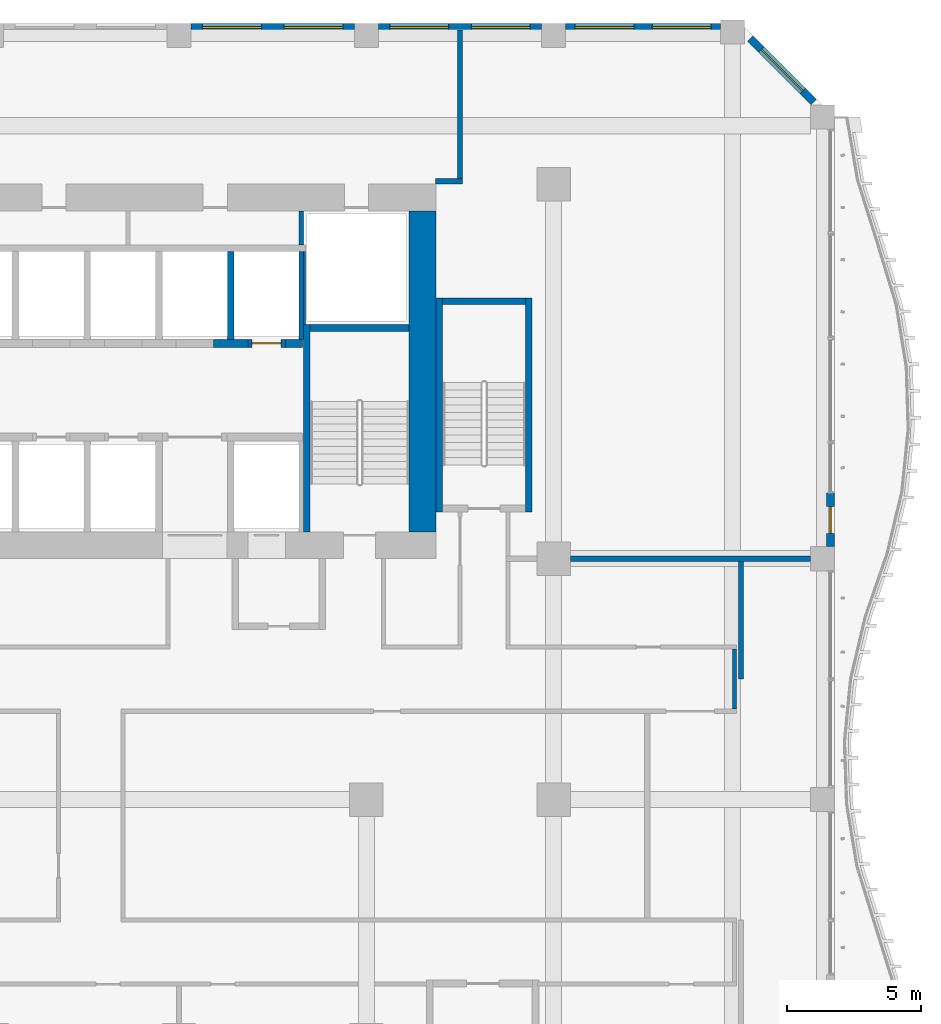
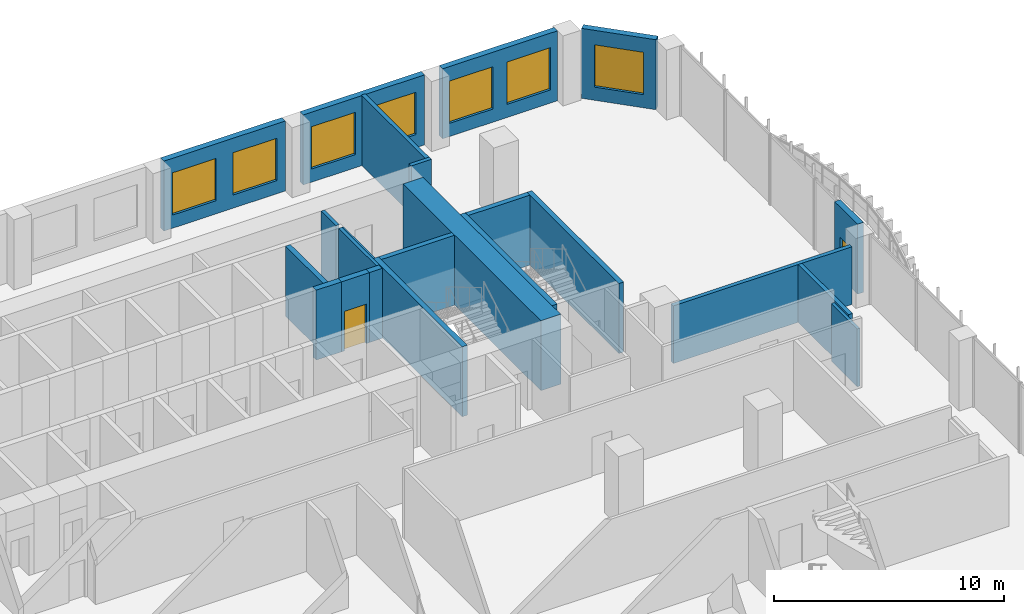
# One storey, part 15 of 25: 23 walls, 7 windows, 2 doors, 9 openings.
"""IFC4 building model written with IfcOpenShell, lengths in metres."""

from ifc_helpers import new_model, si_unit, direction, frame, frame_2d, origin, place, context, subcontext, project, spatial, rectangle, extrude, source, transform, mapped, material, layer, layer_set, type_object, element, fill, save


model = new_model("IFC4")

# Units and contexts
model_context = context("Model", 3, precision=1e-05, world=origin(), true_north=direction((0.0, 1.0)))
body_context = subcontext(model_context, "Body", "Model", "MODEL_VIEW")
ifc_project = project(units=[si_unit("LENGTHUNIT", "METRE"), si_unit("AREAUNIT", "SQUARE_METRE"), si_unit("VOLUMEUNIT", "CUBIC_METRE"), si_unit("PLANEANGLEUNIT", "RADIAN"), si_unit("MASSUNIT", "GRAM", prefix="KILO")], contexts=[model_context])

# Site, building, storey
site_placement = place(None, origin())
site = spatial("IfcSite", under=ifc_project, at=site_placement, CompositionType="ELEMENT")
building_placement = place(site_placement, origin())
building = spatial("IfcBuilding", under=site, at=building_placement, Name="Kilnfold Tower and Market Hall", CompositionType="ELEMENT")
storey_placement = place(building_placement, frame((0.0, 0.0, 67.199951171875)))
storey = spatial("IfcBuildingStorey", under=building, at=storey_placement, Name="L15", CompositionType="ELEMENT", Elevation=67.199951171875)

# Walls
ifc_material_1 = material(Name="Gypsum board on steel studs", Category="steel")
ifc_layer_1 = layer(ifc_material_1, 0.14990234375)
ifc_layer_set_1 = layer_set([ifc_layer_1], Name="Gypsum board on steel studs")
wall_type_1 = type_object("IfcWallType", Name="WALL CORRIDOR 150", PredefinedType="PARTITIONING", material=ifc_layer_set_1)
wall_1_placement = place(storey_placement, frame((29.25, 2.375, 0.0), z_axis=(0.0, 0.0, 1.0), x_axis=(0.0, 1.0, 0.0)))
element("IfcWall", 1, at=wall_1_placement, inside=storey, type_object=wall_type_1, Name="Partition LY12.29", PredefinedType="PARTITIONING", context=body_context, shape_type="SweptSolid", body=[
    extrude(rectangle(XDim=2.25, YDim=0.14990234375, at=frame_2d((1.125, 0.0))), origin(), (0.0, 0.0, 1.0), 3.070068359375),
])
ifc_material_2 = material(Name="Gypsum board on steel studs", Category="steel")
ifc_layer_2 = layer(ifc_material_2, 0.199951171875)
ifc_layer_set_2 = layer_set([ifc_layer_2], Name="Gypsum board on steel studs")
wall_type_2 = type_object("IfcWallType", Name="WALL PARTY 200", PredefinedType="PARTITIONING", material=ifc_layer_set_2)
wall_2_placement = place(storey_placement, frame((19.0, 22.199951171875, 0.0), z_axis=(0.0, 0.0, 1.0), x_axis=(0.0, 1.0, 0.0)))
element("IfcWall", 2, at=wall_2_placement, inside=storey, type_object=wall_type_2, Name="Partition LY12.42", PredefinedType="PARTITIONING", context=body_context, shape_type="SweptSolid", body=[
    extrude(rectangle(XDim=5.550048828125, YDim=0.199951171875, at=frame_2d((2.77490234375, 0.0))), origin(), (0.0, 0.0, 1.0), 3.719970703125),
])
wall_3_placement = place(storey_placement, frame((18.090087890625, 22.10009765625, 0.0), z_axis=(0.0, 0.0, 1.0), x_axis=(1.0, 0.0, 0.0)))
element("IfcWall", 3, at=wall_3_placement, inside=storey, type_object=wall_type_2, Name="Partition LY12.43", PredefinedType="PARTITIONING", context=body_context, shape_type="SweptSolid", body=[
    extrude(rectangle(XDim=1.010009765625, YDim=0.199951171875, at=frame_2d((0.5048828125, 0.0))), origin(), (0.0, 0.0, 1.0), 3.719970703125),
])
wall_4_placement = place(storey_placement, frame((23.125, 8.0, 0.0), z_axis=(0.0, 0.0, 1.0), x_axis=(1.0, 0.0, 0.0)))
element("IfcWall", 4, at=wall_4_placement, inside=storey, type_object=wall_type_2, Name="Partition LY12.55", PredefinedType="PARTITIONING", context=body_context, shape_type="SweptSolid", body=[
    extrude(rectangle(XDim=8.97509765625, YDim=0.199951171875, at=frame_2d((4.487548828125, 0.0))), origin(), (0.0, 0.0, 1.0), 3.070068359375),
])
wall_5_placement = place(storey_placement, frame((29.5, 3.5, 0.0), z_axis=(0.0, 0.0, 1.0), x_axis=(0.0, 1.0, 0.0)))
element("IfcWall", 5, at=wall_5_placement, inside=storey, type_object=wall_type_2, Name="Partition LY12.57", PredefinedType="PARTITIONING", context=body_context, shape_type="SweptSolid", body=[
    extrude(rectangle(XDim=4.39990234375, YDim=0.199951171875, at=frame_2d((2.199951171875, 0.0))), origin(), (0.0, 0.0, 1.0), 3.070068359375),
])
ifc_material_3 = material(Name="Concrete C80", Category="concrete")
ifc_layer_3 = layer(ifc_material_3, 1.0)
ifc_layer_set_3 = layer_set([ifc_layer_3], Name="Concrete C80")
wall_type_3 = type_object("IfcWallType", Name="CORE WALL 1000 C80", PredefinedType="SHEAR", material=ifc_layer_set_3)
shared_shape_1 = source(origin(), body_context, "Body", "SweptSolid", [
    extrude(rectangle(XDim=12.0, YDim=1.0, at=frame_2d((6.0, 0.0))), origin(), (0.0, 0.0, 1.0), 3.719970703125),
])
wall_6_placement = place(storey_placement, frame((17.60009765625, 9.0, 0.0), z_axis=(0.0, 0.0, 1.0), x_axis=(0.0, 1.0, 0.0)))
element("IfcWall", 6, at=wall_6_placement, inside=storey, type_object=wall_type_3, Name="Core outer wall east", PredefinedType="SHEAR", context=body_context, shape_type="MappedRepresentation", body=[
    mapped(shared_shape_1, transform((0.0, 0.0, 0.0))),
])
ifc_material_4 = material(Name="Concrete C80", Category="concrete")
ifc_layer_4 = layer(ifc_material_4, 0.25)
ifc_layer_set_4 = layer_set([ifc_layer_4], Name="Concrete C80")
wall_type_4 = type_object("IfcWallType", Name="CORE WALL 250 C80", PredefinedType="SHEAR", material=ifc_layer_set_4)
shared_shape_2 = source(origin(), body_context, "Body", "SweptSolid", [
    extrude(rectangle(XDim=7.75, YDim=0.25, at=frame_2d((3.875, 0.0))), origin(), (0.0, 0.0, 1.0), 3.719970703125),
])
wall_7_placement = place(storey_placement, frame((13.27490234375, 9.0, 0.0), z_axis=(0.0, 0.0, 1.0), x_axis=(0.0, 1.0, 0.0)))
element("IfcWall", 7, at=wall_7_placement, inside=storey, type_object=wall_type_4, Name="Stair enclosure ST2", PredefinedType="SHEAR", context=body_context, shape_type="MappedRepresentation", body=[
    mapped(shared_shape_2, transform((0.0, 0.0, 0.0))),
])
shared_shape_3 = source(origin(), body_context, "Body", "SweptSolid", [
    extrude(rectangle(XDim=3.7001953125, YDim=0.25, at=frame_2d((1.85009765625, 0.0))), origin(), (0.0, 0.0, 1.0), 3.719970703125),
])
wall_8_placement = place(storey_placement, frame((13.39990234375, 16.625, 0.0), z_axis=(0.0, 0.0, 1.0), x_axis=(1.0, 0.0, 0.0)))
element("IfcWall", 8, at=wall_8_placement, inside=storey, type_object=wall_type_4, Name="Stair enclosure ST2", PredefinedType="SHEAR", context=body_context, shape_type="MappedRepresentation", body=[
    mapped(shared_shape_3, transform((0.0, 0.0, 0.0))),
])
shared_shape_4 = source(origin(), body_context, "Body", "SweptSolid", [
    extrude(rectangle(XDim=8.0, YDim=0.25, at=frame_2d((4.0, 0.0))), origin(), (0.0, 0.0, 1.0), 3.719970703125),
])
for number, where, z_axis, x_axis, name in (
    (9, (18.22509765625, 9.75, 0.0), (0.0, 0.0, 1.0), (0.0, 1.0, 0.0), "Stair enclosure ST5"),
    (10, (21.574951171875, 9.75, 0.0), (0.0, 0.0, 1.0), (0.0, 1.0, 0.0), "Stair enclosure ST5"),
):
    element("IfcWall", number, at=place(storey_placement, frame(where, z_axis=z_axis, x_axis=x_axis)), inside=storey, type_object=wall_type_4, Name=name, PredefinedType="SHEAR", context=body_context, shape_type="MappedRepresentation", body=[
        mapped(shared_shape_4, transform((0.0, 0.0, 0.0))),
    ])
shared_shape_5 = source(origin(), body_context, "Body", "SweptSolid", [
    extrude(rectangle(XDim=3.099853515625, YDim=0.25, at=frame_2d((1.5498046875, 0.0))), origin(), (0.0, 0.0, 1.0), 3.719970703125),
])
wall_9_placement = place(storey_placement, frame((18.35009765625, 17.625, 0.0), z_axis=(0.0, 0.0, 1.0), x_axis=(1.0, 0.0, 0.0)))
element("IfcWall", 11, at=wall_9_placement, inside=storey, type_object=wall_type_4, Name="Stair enclosure ST5", PredefinedType="SHEAR", context=body_context, shape_type="MappedRepresentation", body=[
    mapped(shared_shape_5, transform((0.0, 0.0, 0.0))),
])
ifc_material_5 = material(Name="Concrete C80", Category="concrete")
ifc_layer_5 = layer(ifc_material_5, 0.300048828125)
ifc_layer_set_5 = layer_set([ifc_layer_5], Name="Concrete C80")
wall_type_5 = type_object("IfcWallType", Name="CORE WALL 300 C80", PredefinedType="SHEAR", material=ifc_layer_set_5)
shared_shape_6 = source(origin(), body_context, "Body", "SweptSolid", [
    extrude(rectangle(XDim=1.280029296875, YDim=0.300048828125, at=frame_2d((0.64013671875, 0.0))), origin(), (0.0, 0.0, 1.0), 3.719970703125),
])
wall_10_placement = place(storey_placement, frame((9.7900390625, 16.050048828125, 0.0), z_axis=(0.0, 0.0, 1.0), x_axis=(1.0, 0.0, 0.0)))
element("IfcWall", 12, at=wall_10_placement, inside=storey, type_object=wall_type_5, Name="Core spine wall", PredefinedType="SHEAR", context=body_context, shape_type="MappedRepresentation", body=[
    mapped(shared_shape_6, transform((0.0, 0.0, 0.0))),
])
shared_shape_7 = source(origin(), body_context, "Body", "SweptSolid", [
    extrude(rectangle(XDim=0.64013671875, YDim=0.300048828125, at=frame_2d((0.320068359375, 0.0))), origin(), (0.0, 0.0, 1.0), 3.719970703125),
])
wall_11_placement = place(storey_placement, frame((12.469970703125, 16.050048828125, 0.0), z_axis=(0.0, 0.0, 1.0), x_axis=(1.0, 0.0, 0.0)))
element("IfcWall", 13, at=wall_11_placement, inside=storey, type_object=wall_type_5, Name="Core spine wall", PredefinedType="SHEAR", context=body_context, shape_type="MappedRepresentation", body=[
    mapped(shared_shape_7, transform((0.0, 0.0, 0.0))),
])

# Wall, opening, door
ifc_material_6 = material(Name="Precast concrete C50/60", Category="concrete")
ifc_layer_6 = layer(ifc_material_6, 0.300048828125)
ifc_layer_set_6 = layer_set([ifc_layer_6], Name="Precast concrete C50/60")
wall_type_6 = type_object("IfcWallType", Name="PRECAST WALL 300", PredefinedType="SOLIDWALL", material=ifc_layer_set_6)
shared_shape_8 = source(origin(), body_context, "Body", "SweptSolid", [
    extrude(rectangle(XDim=2.0, YDim=0.300048828125, at=frame_2d((1.0, 0.0))), origin(), (0.0, 0.0, 1.0), 3.719970703125),
])
wall_12_placement = place(storey_placement, frame((32.85009765625, 8.449951171875, 0.0), z_axis=(0.0, 0.0, 1.0), x_axis=(0.0, 1.0, 0.0)))
wall_12 = element("IfcWall", 14, at=wall_12_placement, inside=storey, type_object=wall_type_6, Name="External wall L15 E", PredefinedType="SOLIDWALL", context=body_context, shape_type="MappedRepresentation", body=[
    mapped(shared_shape_8, transform((0.0, 0.0, 0.0))),
])
opening_1_placement = place(wall_12_placement, frame((0.5, 0.0, 0.0)))
opening_1 = element("IfcOpeningElement", 15, at=opening_1_placement, cuts=wall_12, Name="Opening BD1", PredefinedType="OPENING", context=body_context, shape_type="SweptSolid", body=[
    extrude(rectangle(XDim=1.0, YDim=2.10009765625, at=frame_2d((0.5, 1.050048828125))), frame((0.0, 0.16015625, 0.0), z_axis=(0.0, -1.0, 0.0), x_axis=(1.0, 0.0, 0.0)), (0.0, 0.0, 1.0), 0.320068359375),
])
ifc_material_7 = material(Name="Aluminium frame and double glazing", Category="aluminium")
door_type_1 = type_object("IfcDoorType", Name="BALCONY DOOR 1000X2100", OperationType="NOTDEFINED", PredefinedType="DOOR", material=ifc_material_7)
door_1_placement = place(opening_1_placement, origin())
door_1 = element("IfcDoor", 16, at=door_1_placement, inside=storey, type_object=door_type_1, Name="Balcony door BD1 L15 E-1", OperationType="SINGLE_SWING_LEFT", OverallHeight=2.10009765625, OverallWidth=1.0, PredefinedType="DOOR", context=body_context, shape_type="SweptSolid", body=[
    extrude(rectangle(XDim=1.0, YDim=2.10009765625, at=frame_2d((0.5, 1.050048828125))), frame((0.0, 0.02490234375, 0.0), z_axis=(0.0, -1.0, 0.0), x_axis=(1.0, 0.0, 0.0)), (0.0, 0.0, 1.0), 0.050048828125),
])
fill(opening_1, door_1)

# Wall, opening, window
shared_shape_9 = source(origin(), body_context, "Body", "SweptSolid", [
    extrude(rectangle(XDim=3.35888671875, YDim=0.300048828125, at=frame_2d((1.679443359375, 0.0))), origin(), (0.0, 0.0, 1.0), 3.719970703125),
])
wall_13_placement = place(storey_placement, frame((32.218994140625, 25.06884765625, 0.0), z_axis=(0.0, 0.0, 1.0), x_axis=(-0.707070438228, 0.707143122278, 0.0)))
wall_13 = element("IfcWall", 17, at=wall_13_placement, inside=storey, type_object=wall_type_6, Name="External wall L15 NE", PredefinedType="SOLIDWALL", context=body_context, shape_type="MappedRepresentation", body=[
    mapped(shared_shape_9, transform((0.0, 0.0, 0.0))),
])
opening_2_placement = place(wall_13_placement, frame((0.579345703125, 0.0, 0.699951171875)))
opening_2 = element("IfcOpeningElement", 18, at=opening_2_placement, cuts=wall_13, Name="Opening W1", PredefinedType="OPENING", context=body_context, shape_type="SweptSolid", body=[
    extrude(rectangle(XDim=2.199951171875, YDim=2.25, at=frame_2d((1.10009765625, 1.125))), frame((0.0, 0.16015625, 0.0), z_axis=(0.0, -1.0, 0.0), x_axis=(1.0, 0.0, 0.0)), (0.0, 0.0, 1.0), 0.320068359375),
])
ifc_material_8 = material(Name="Aluminium frame and double glazing", Category="aluminium")
window_type = type_object("IfcWindowType", Name="WINDOW W1 2200X2250", PartitioningType="SINGLE_PANEL", PredefinedType="WINDOW", material=ifc_material_8)
window_1_placement = place(opening_2_placement, origin())
window_1 = element("IfcWindow", 19, at=window_1_placement, inside=storey, type_object=window_type, Name="Window W1 L15 NE-1", OverallHeight=2.25, OverallWidth=2.199951171875, PartitioningType="SINGLE_PANEL", PredefinedType="WINDOW", context=body_context, shape_type="SweptSolid", body=[
    extrude(rectangle(XDim=2.199951171875, YDim=2.25, at=frame_2d((1.10009765625, 1.125))), frame((0.0, 0.030029296875, 0.0), z_axis=(0.0, -1.0, 0.0), x_axis=(1.0, 0.0, 0.0)), (0.0, 0.0, 1.0), 0.06005859375),
])
fill(opening_2, window_1)

# Wall, openings, windows
shared_shape_10 = source(origin(), body_context, "Body", "SweptSolid", [
    extrude(rectangle(XDim=5.78173828125, YDim=0.300048828125, at=frame_2d((2.890869140625, 0.0))), origin(), (0.0, 0.0, 1.0), 3.719970703125),
])
wall_14_placement = place(storey_placement, frame((28.731689453125, 27.85009765625, 0.0), z_axis=(0.0, 0.0, 1.0), x_axis=(-1.0, 0.0, 0.0)))
wall_14 = element("IfcWall", 20, at=wall_14_placement, inside=storey, type_object=wall_type_6, Name="External wall L15 N", PredefinedType="SOLIDWALL", context=body_context, shape_type="MappedRepresentation", body=[
    mapped(shared_shape_10, transform((0.0, 0.0, 0.0))),
])
opening_3_placement = place(wall_14_placement, frame((0.345458984375, 0.0, 0.699951171875)))
opening_3 = element("IfcOpeningElement", 21, at=opening_3_placement, cuts=wall_14, Name="Opening W1", PredefinedType="OPENING", context=body_context, shape_type="SweptSolid", body=[
    extrude(rectangle(XDim=2.199951171875, YDim=2.25, at=frame_2d((1.10009765625, 1.125))), frame((0.0, 0.16015625, 0.0), z_axis=(0.0, -1.0, 0.0), x_axis=(1.0, 0.0, 0.0)), (0.0, 0.0, 1.0), 0.320068359375),
])
opening_4_placement = place(wall_14_placement, frame((3.236328125, 0.0, 0.699951171875)))
opening_4 = element("IfcOpeningElement", 22, at=opening_4_placement, cuts=wall_14, Name="Opening W1", PredefinedType="OPENING", context=body_context, shape_type="SweptSolid", body=[
    extrude(rectangle(XDim=2.199951171875, YDim=2.25, at=frame_2d((1.10009765625, 1.125))), frame((0.0, 0.16015625, 0.0), z_axis=(0.0, -1.0, 0.0), x_axis=(1.0, 0.0, 0.0)), (0.0, 0.0, 1.0), 0.320068359375),
])
window_2_placement = place(opening_3_placement, origin())
window_2 = element("IfcWindow", 23, at=window_2_placement, inside=storey, type_object=window_type, Name="Window W1 L15 N-1", OverallHeight=2.25, OverallWidth=2.199951171875, PartitioningType="SINGLE_PANEL", PredefinedType="WINDOW", context=body_context, shape_type="SweptSolid", body=[
    extrude(rectangle(XDim=2.199951171875, YDim=2.25, at=frame_2d((1.10009765625, 1.125))), frame((0.0, 0.030029296875, 0.0), z_axis=(0.0, -1.0, 0.0), x_axis=(1.0, 0.0, 0.0)), (0.0, 0.0, 1.0), 0.06005859375),
])
fill(opening_3, window_2)
window_3_placement = place(opening_4_placement, origin())
window_3 = element("IfcWindow", 24, at=window_3_placement, inside=storey, type_object=window_type, Name="Window W1 L15 N-2", OverallHeight=2.25, OverallWidth=2.199951171875, PartitioningType="SINGLE_PANEL", PredefinedType="WINDOW", context=body_context, shape_type="SweptSolid", body=[
    extrude(rectangle(XDim=2.199951171875, YDim=2.25, at=frame_2d((1.10009765625, 1.125))), frame((0.0, 0.030029296875, 0.0), z_axis=(0.0, -1.0, 0.0), x_axis=(1.0, 0.0, 0.0)), (0.0, 0.0, 1.0), 0.06005859375),
])
fill(opening_4, window_3)

shared_shape_11 = source(origin(), body_context, "Body", "SweptSolid", [
    extrude(rectangle(XDim=6.10009765625, YDim=0.300048828125, at=frame_2d((3.050048828125, 0.0))), origin(), (0.0, 0.0, 1.0), 3.719970703125),
])
wall_15_placement = place(storey_placement, frame((22.050048828125, 27.85009765625, 0.0), z_axis=(0.0, 0.0, 1.0), x_axis=(-1.0, 0.0, 0.0)))
wall_15 = element("IfcWall", 25, at=wall_15_placement, inside=storey, type_object=wall_type_6, Name="External wall L15 N", PredefinedType="SOLIDWALL", context=body_context, shape_type="MappedRepresentation", body=[
    mapped(shared_shape_11, transform((0.0, 0.0, 0.0))),
])
opening_5_placement = place(wall_15_placement, frame((0.425048828125, 0.0, 0.699951171875)))
opening_5 = element("IfcOpeningElement", 26, at=opening_5_placement, cuts=wall_15, Name="Opening W1", PredefinedType="OPENING", context=body_context, shape_type="SweptSolid", body=[
    extrude(rectangle(XDim=2.199951171875, YDim=2.25, at=frame_2d((1.10009765625, 1.125))), frame((0.0, 0.16015625, 0.0), z_axis=(0.0, -1.0, 0.0), x_axis=(1.0, 0.0, 0.0)), (0.0, 0.0, 1.0), 0.320068359375),
])
opening_6_placement = place(wall_15_placement, frame((3.47509765625, 0.0, 0.699951171875)))
opening_6 = element("IfcOpeningElement", 27, at=opening_6_placement, cuts=wall_15, Name="Opening W1", PredefinedType="OPENING", context=body_context, shape_type="SweptSolid", body=[
    extrude(rectangle(XDim=2.199951171875, YDim=2.25, at=frame_2d((1.10009765625, 1.125))), frame((0.0, 0.16015625, 0.0), z_axis=(0.0, -1.0, 0.0), x_axis=(1.0, 0.0, 0.0)), (0.0, 0.0, 1.0), 0.320068359375),
])
window_4_placement = place(opening_5_placement, origin())
window_4 = element("IfcWindow", 28, at=window_4_placement, inside=storey, type_object=window_type, Name="Window W1 L15 N-1", OverallHeight=2.25, OverallWidth=2.199951171875, PartitioningType="SINGLE_PANEL", PredefinedType="WINDOW", context=body_context, shape_type="SweptSolid", body=[
    extrude(rectangle(XDim=2.199951171875, YDim=2.25, at=frame_2d((1.10009765625, 1.125))), frame((0.0, 0.030029296875, 0.0), z_axis=(0.0, -1.0, 0.0), x_axis=(1.0, 0.0, 0.0)), (0.0, 0.0, 1.0), 0.06005859375),
])
fill(opening_5, window_4)
window_5_placement = place(opening_6_placement, origin())
window_5 = element("IfcWindow", 29, at=window_5_placement, inside=storey, type_object=window_type, Name="Window W1 L15 N-2", OverallHeight=2.25, OverallWidth=2.199951171875, PartitioningType="SINGLE_PANEL", PredefinedType="WINDOW", context=body_context, shape_type="SweptSolid", body=[
    extrude(rectangle(XDim=2.199951171875, YDim=2.25, at=frame_2d((1.10009765625, 1.125))), frame((0.0, 0.030029296875, 0.0), z_axis=(0.0, -1.0, 0.0), x_axis=(1.0, 0.0, 0.0)), (0.0, 0.0, 1.0), 0.06005859375),
])
fill(opening_6, window_5)

wall_16_placement = place(storey_placement, frame((15.050048828125, 27.85009765625, 0.0), z_axis=(0.0, 0.0, 1.0), x_axis=(-1.0, 0.0, 0.0)))
wall_16 = element("IfcWall", 30, at=wall_16_placement, inside=storey, type_object=wall_type_6, Name="External wall L15 N", PredefinedType="SOLIDWALL", context=body_context, shape_type="MappedRepresentation", body=[
    mapped(shared_shape_11, transform((0.0, 0.0, 0.0))),
])
opening_7_placement = place(wall_16_placement, frame((0.425048828125, 0.0, 0.699951171875)))
opening_7 = element("IfcOpeningElement", 31, at=opening_7_placement, cuts=wall_16, Name="Opening W1", PredefinedType="OPENING", context=body_context, shape_type="SweptSolid", body=[
    extrude(rectangle(XDim=2.199951171875, YDim=2.25, at=frame_2d((1.10009765625, 1.125))), frame((0.0, 0.16015625, 0.0), z_axis=(0.0, -1.0, 0.0), x_axis=(1.0, 0.0, 0.0)), (0.0, 0.0, 1.0), 0.320068359375),
])
opening_8_placement = place(wall_16_placement, frame((3.47509765625, 0.0, 0.699951171875)))
opening_8 = element("IfcOpeningElement", 32, at=opening_8_placement, cuts=wall_16, Name="Opening W1", PredefinedType="OPENING", context=body_context, shape_type="SweptSolid", body=[
    extrude(rectangle(XDim=2.199951171875, YDim=2.25, at=frame_2d((1.10009765625, 1.125))), frame((0.0, 0.16015625, 0.0), z_axis=(0.0, -1.0, 0.0), x_axis=(1.0, 0.0, 0.0)), (0.0, 0.0, 1.0), 0.320068359375),
])
window_6_placement = place(opening_7_placement, origin())
window_6 = element("IfcWindow", 33, at=window_6_placement, inside=storey, type_object=window_type, Name="Window W1 L15 N-1", OverallHeight=2.25, OverallWidth=2.199951171875, PartitioningType="SINGLE_PANEL", PredefinedType="WINDOW", context=body_context, shape_type="SweptSolid", body=[
    extrude(rectangle(XDim=2.199951171875, YDim=2.25, at=frame_2d((1.10009765625, 1.125))), frame((0.0, 0.030029296875, 0.0), z_axis=(0.0, -1.0, 0.0), x_axis=(1.0, 0.0, 0.0)), (0.0, 0.0, 1.0), 0.06005859375),
])
fill(opening_7, window_6)
window_7_placement = place(opening_8_placement, origin())
window_7 = element("IfcWindow", 34, at=window_7_placement, inside=storey, type_object=window_type, Name="Window W1 L15 N-2", OverallHeight=2.25, OverallWidth=2.199951171875, PartitioningType="SINGLE_PANEL", PredefinedType="WINDOW", context=body_context, shape_type="SweptSolid", body=[
    extrude(rectangle(XDim=2.199951171875, YDim=2.25, at=frame_2d((1.10009765625, 1.125))), frame((0.0, 0.030029296875, 0.0), z_axis=(0.0, -1.0, 0.0), x_axis=(1.0, 0.0, 0.0)), (0.0, 0.0, 1.0), 0.06005859375),
])
fill(opening_8, window_7)

# Wall, opening, door
ifc_material_9 = material(Name="Gypsum shaft wall system")
ifc_layer_7 = layer(ifc_material_9, 0.300048828125)
ifc_layer_set_7 = layer_set([ifc_layer_7], Name="Gypsum shaft wall system")
wall_type_7 = type_object("IfcWallType", Name="SHAFT WALL 300", PredefinedType="PARTITIONING", material=ifc_layer_set_7)
shared_shape_12 = source(origin(), body_context, "Body", "SweptSolid", [
    extrude(rectangle(XDim=1.39990234375, YDim=0.300048828125, at=frame_2d((0.699951171875, 0.0))), origin(), (0.0, 0.0, 1.0), 3.719970703125),
])
wall_17_placement = place(storey_placement, frame((11.070068359375, 16.050048828125, 0.0), z_axis=(0.0, 0.0, 1.0), x_axis=(1.0, 0.0, 0.0)))
wall_17 = element("IfcWall", 35, at=wall_17_placement, inside=storey, type_object=wall_type_7, Name="Lift shaft front wall", PredefinedType="PARTITIONING", context=body_context, shape_type="MappedRepresentation", body=[
    mapped(shared_shape_12, transform((0.0, 0.0, 0.0))),
])
opening_9_placement = place(wall_17_placement, frame((0.14990234375, 0.0, 0.0)))
opening_9 = element("IfcOpeningElement", 36, at=opening_9_placement, cuts=wall_17, Name="Opening LD2", PredefinedType="OPENING", context=body_context, shape_type="SweptSolid", body=[
    extrude(rectangle(XDim=1.10009765625, YDim=2.10009765625, at=frame_2d((0.550048828125, 1.050048828125))), frame((0.0, 0.16015625, 0.0), z_axis=(0.0, -1.0, 0.0), x_axis=(1.0, 0.0, 0.0)), (0.0, 0.0, 1.0), 0.320068359375),
])
ifc_material_10 = material(Name="Steel door set with fire-resisting leaf", Category="steel")
door_type_2 = type_object("IfcDoorType", Name="LANDING DOOR 1100X2100", OperationType="NOTDEFINED", PredefinedType="DOOR", material=ifc_material_10)
door_2_placement = place(opening_9_placement, origin())
door_2 = element("IfcDoor", 37, at=door_2_placement, inside=storey, type_object=door_type_2, Name="Landing door LR6", OperationType="DOUBLE_DOOR_SLIDING", OverallHeight=2.10009765625, OverallWidth=1.10009765625, PredefinedType="DOOR", context=body_context, shape_type="SweptSolid", body=[
    extrude(rectangle(XDim=1.10009765625, YDim=2.10009765625, at=frame_2d((0.550048828125, 1.050048828125))), frame((0.0, 0.02490234375, 0.0), z_axis=(0.0, -1.0, 0.0), x_axis=(1.0, 0.0, 0.0)), (0.0, 0.0, 1.0), 0.050048828125),
])
fill(opening_9, door_2)

# Walls
ifc_material_11 = material(Name="Gypsum shaft wall system")
ifc_layer_8 = layer(ifc_material_11, 0.1650390625)
ifc_layer_set_8 = layer_set([ifc_layer_8], Name="Gypsum shaft wall system")
wall_type_8 = type_object("IfcWallType", Name="SHAFT WALL 165", PredefinedType="PARTITIONING", material=ifc_layer_set_8)
shared_shape_13 = source(origin(), body_context, "Body", "SweptSolid", [
    extrude(rectangle(XDim=3.275146484375, YDim=0.1650390625, at=frame_2d((1.6376953125, 0.0))), origin(), (0.0, 0.0, 1.0), 3.719970703125),
])
wall_18_placement = place(storey_placement, frame((13.0673828125, 16.199951171875, 0.0), z_axis=(0.0, 0.0, 1.0), x_axis=(0.0, 1.0, 0.0)))
element("IfcWall", 38, at=wall_18_placement, inside=storey, type_object=wall_type_8, Name="Lift shaft wall", PredefinedType="PARTITIONING", context=body_context, shape_type="MappedRepresentation", body=[
    mapped(shared_shape_13, transform((0.0, 0.0, 0.0))),
])
shared_shape_14 = source(origin(), body_context, "Body", "SweptSolid", [
    extrude(rectangle(XDim=1.27490234375, YDim=0.1650390625, at=frame_2d((0.637451171875, 0.0))), origin(), (0.0, 0.0, 1.0), 3.719970703125),
])
wall_19_placement = place(storey_placement, frame((13.0673828125, 19.72509765625, 0.0), z_axis=(0.0, 0.0, 1.0), x_axis=(0.0, 1.0, 0.0)))
element("IfcWall", 39, at=wall_19_placement, inside=storey, type_object=wall_type_8, Name="Lift shaft wall", PredefinedType="PARTITIONING", context=body_context, shape_type="MappedRepresentation", body=[
    mapped(shared_shape_14, transform((0.0, 0.0, 0.0))),
])
ifc_material_12 = material(Name="Gypsum shaft wall system")
ifc_layer_9 = layer(ifc_material_12, 0.25)
ifc_layer_set_9 = layer_set([ifc_layer_9], Name="Gypsum shaft wall system")
wall_type_9 = type_object("IfcWallType", Name="SHAFT WALL 250", PredefinedType="PARTITIONING", material=ifc_layer_set_9)
shared_shape_15 = source(origin(), body_context, "Body", "SweptSolid", [
    extrude(rectangle(XDim=3.275146484375, YDim=0.25, at=frame_2d((1.6376953125, 0.0))), origin(), (0.0, 0.0, 1.0), 3.719970703125),
])
wall_20_placement = place(storey_placement, frame((10.429931640625, 16.199951171875, 0.0), z_axis=(0.0, 0.0, 1.0), x_axis=(0.0, 1.0, 0.0)))
element("IfcWall", 40, at=wall_20_placement, inside=storey, type_object=wall_type_9, Name="Lift shaft wall", PredefinedType="PARTITIONING", context=body_context, shape_type="MappedRepresentation", body=[
    mapped(shared_shape_15, transform((0.0, 0.0, 0.0))),
])
ifc_material_13 = material(Name="Gypsum shaft wall system")
ifc_layer_10 = layer(ifc_material_13, 0.0849609375)
ifc_layer_set_10 = layer_set([ifc_layer_10], Name="Gypsum shaft wall system")
wall_type_10 = type_object("IfcWallType", Name="SHAFT WALL 85", PredefinedType="PARTITIONING", material=ifc_layer_set_10)
shared_shape_16 = source(origin(), body_context, "Body", "SweptSolid", [
    extrude(rectangle(XDim=2.72509765625, YDim=0.0849609375, at=frame_2d((1.362548828125, 0.0))), origin(), (0.0, 0.0, 1.0), 3.719970703125),
])
wall_21_placement = place(storey_placement, frame((13.1923828125, 16.75, 0.0), z_axis=(0.0, 0.0, 1.0), x_axis=(0.0, 1.0, 0.0)))
element("IfcWall", 41, at=wall_21_placement, inside=storey, type_object=wall_type_10, Name="Lift shaft wall", PredefinedType="PARTITIONING", context=body_context, shape_type="MappedRepresentation", body=[
    mapped(shared_shape_16, transform((0.0, 0.0, 0.0))),
])

save(model, "model.ifc")
